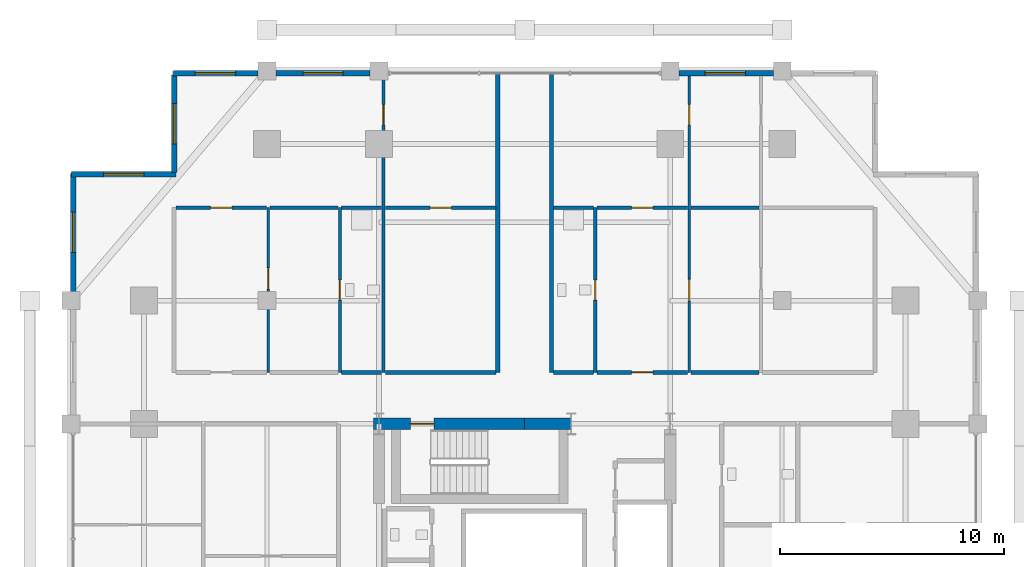
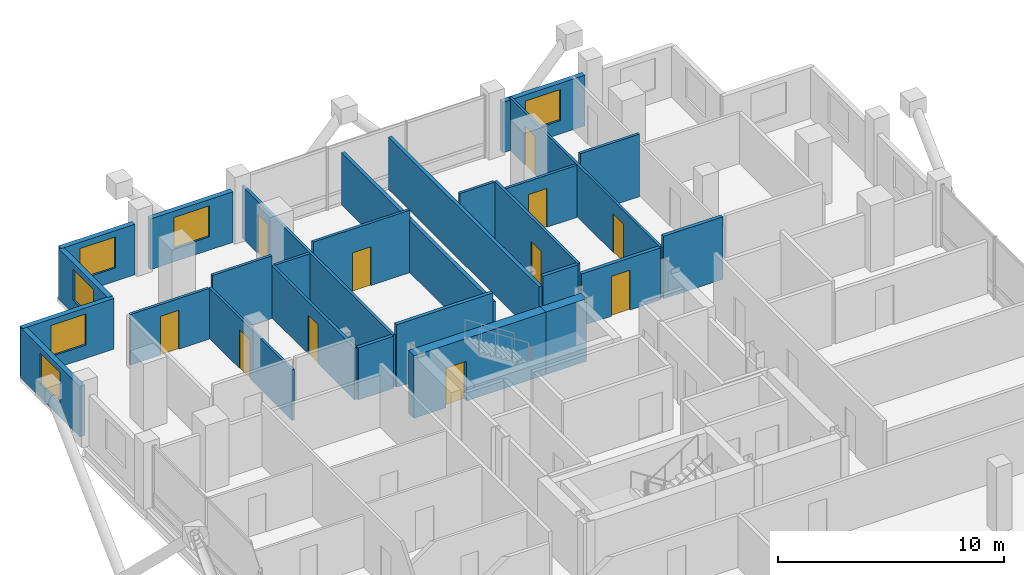
# One storey, part 19 of 22: 27 walls, 11 doors, 6 windows, 17 openings.
"""IFC4 building model written with IfcOpenShell, lengths in metres."""

from ifc_helpers import new_model, si_unit, direction, frame, frame_2d, origin, place, context, subcontext, project, spatial, rectangle, extrude, material, layer, layer_set, type_object, element, fill, save


model = new_model("IFC4")

# Units and contexts
model_context = context("Model", 3, precision=1e-05, world=origin(), true_north=direction((0.0, 1.0)))
body_context = subcontext(model_context, "Body", "Model", "MODEL_VIEW")
ifc_project = project(units=[si_unit("LENGTHUNIT", "METRE"), si_unit("AREAUNIT", "SQUARE_METRE"), si_unit("VOLUMEUNIT", "CUBIC_METRE"), si_unit("PLANEANGLEUNIT", "RADIAN"), si_unit("MASSUNIT", "GRAM", prefix="KILO")], contexts=[model_context])

# Site, building, storey
site_placement = place(None, origin())
site = spatial("IfcSite", under=ifc_project, at=site_placement, CompositionType="ELEMENT")
building_placement = place(site_placement, origin())
building = spatial("IfcBuilding", under=site, at=building_placement, Name="Barlavira Tower and Art Museum", CompositionType="ELEMENT")
storey_placement = place(building_placement, frame((0.0, 0.0, 129.60009765625)))
storey = spatial("IfcBuildingStorey", under=building, at=storey_placement, Name="L32", CompositionType="ELEMENT", Elevation=129.60009765625)

# Wall, opening, door
ifc_material_1 = material(Name="Gypsum acoustic stud partition", Category="gypsum")
ifc_layer_1 = layer(ifc_material_1, 0.1201171875, Name="Gypsum acoustic stud partition")
ifc_layer_set_1 = layer_set([ifc_layer_1], Name="Gypsum acoustic stud partition")
wall_type_1 = type_object("IfcWallType", Name="Apartment Internal Acoustic Partition 120", PredefinedType="PARTITIONING", material=ifc_layer_set_1)
wall_1_placement = place(storey_placement, frame((-11.449951171875, 9.800048828125, 0.0), z_axis=(0.0, 0.0, 1.0), x_axis=(0.0, 1.0, 0.0)))
wall_1 = element("IfcWall", 1, at=wall_1_placement, inside=storey, type_object=wall_type_1, Name="L32 Partition Wall 3", PredefinedType="PARTITIONING", context=body_context, shape_type="SweptSolid", body=[
    extrude(rectangle(XDim=7.349853515625, YDim=0.1201171875, at=frame_2d((3.6748046875, 0.0))), origin(), (0.0, 0.0, 1.0), 2.73583984375),
])
opening_1_placement = place(wall_1_placement, frame((3.71337890625, 0.0, 0.0)))
opening_1 = element("IfcOpeningElement", 2, at=opening_1_placement, cuts=wall_1, Name="Opening D-02", PredefinedType="OPENING", context=body_context, shape_type="SweptSolid", body=[
    extrude(rectangle(XDim=0.949951171875, YDim=2.10009765625, at=frame_2d((0.47509765625, 1.050048828125))), frame((0.0, 0.070068359375, 0.0), z_axis=(0.0, -1.0, 0.0), x_axis=(1.0, 0.0, 0.0)), (0.0, 0.0, 1.0), 0.14013671875),
])
ifc_material_2 = material(Name="Engineered coastal hardwood", Category="wood")
door_type_1 = type_object("IfcDoorType", Name="Living and Salon Glazed-Leaf Door 950x2100", OperationType="NOTDEFINED", PredefinedType="DOOR", material=ifc_material_2)
door_1_placement = place(opening_1_placement, origin())
door_1 = element("IfcDoor", 3, at=door_1_placement, inside=storey, type_object=door_type_1, Name="Apartment SKY-NW Kitchen Door", OperationType="SINGLE_SWING_LEFT", OverallHeight=2.10009765625, OverallWidth=0.949951171875, PredefinedType="DOOR", context=body_context, shape_type="SweptSolid", body=[
    extrude(rectangle(XDim=0.949951171875, YDim=2.10009765625, at=frame_2d((0.47509765625, 1.050048828125))), frame((0.0, 0.02490234375, 0.0), z_axis=(0.0, -1.0, 0.0), x_axis=(1.0, 0.0, 0.0)), (0.0, 0.0, 1.0), 0.050048828125),
])
fill(opening_1, door_1)

# Wall, openings, doors
wall_2_placement = place(storey_placement, frame((7.35009765625, 9.800048828125, 0.0), z_axis=(0.0, 0.0, 1.0), x_axis=(0.0, 1.0, 0.0)))
wall_2 = element("IfcWall", 4, at=wall_2_placement, inside=storey, type_object=wall_type_1, Name="L32 Partition Wall 14", PredefinedType="PARTITIONING", context=body_context, shape_type="SweptSolid", body=[
    extrude(rectangle(XDim=13.349853515625, YDim=0.1201171875, at=frame_2d((6.6748046875, 0.0))), origin(), (0.0, 0.0, 1.0), 2.81591796875),
])
opening_2_placement = place(wall_2_placement, frame((3.195068359375, 0.0, 0.0)))
opening_2 = element("IfcOpeningElement", 5, at=opening_2_placement, cuts=wall_2, Name="Opening D-02", PredefinedType="OPENING", context=body_context, shape_type="SweptSolid", body=[
    extrude(rectangle(XDim=0.949951171875, YDim=2.10009765625, at=frame_2d((0.47509765625, 1.050048828125))), frame((0.0, 0.070068359375, 0.0), z_axis=(0.0, -1.0, 0.0), x_axis=(1.0, 0.0, 0.0)), (0.0, 0.0, 1.0), 0.14013671875),
])
opening_3_placement = place(wall_2_placement, frame((11.051025390625, 0.0, 0.0)))
opening_3 = element("IfcOpeningElement", 6, at=opening_3_placement, cuts=wall_2, Name="Opening D-01", PredefinedType="OPENING", context=body_context, shape_type="SweptSolid", body=[
    extrude(rectangle(XDim=0.89990234375, YDim=2.10009765625, at=frame_2d((0.449951171875, 1.050048828125))), frame((0.0, 0.070068359375, 0.0), z_axis=(0.0, -1.0, 0.0), x_axis=(1.0, 0.0, 0.0)), (0.0, 0.0, 1.0), 0.14013671875),
])
door_type_2 = type_object("IfcDoorType", Name="Internal Bedroom Timber Flush Door 900x2100", OperationType="NOTDEFINED", PredefinedType="DOOR", material=ifc_material_2)
door_2_placement = place(opening_3_placement, origin())
door_2 = element("IfcDoor", 7, at=door_2_placement, inside=storey, type_object=door_type_2, Name="Apartment SKY-NE Bedroom 1 Door", OperationType="SINGLE_SWING_LEFT", OverallHeight=2.10009765625, OverallWidth=0.89990234375, PredefinedType="DOOR", context=body_context, shape_type="SweptSolid", body=[
    extrude(rectangle(XDim=0.89990234375, YDim=2.10009765625, at=frame_2d((0.449951171875, 1.050048828125))), frame((0.0, 0.02490234375, 0.0), z_axis=(0.0, -1.0, 0.0), x_axis=(1.0, 0.0, 0.0)), (0.0, 0.0, 1.0), 0.050048828125),
])
fill(opening_3, door_2)
door_3_placement = place(opening_2_placement, origin())
door_3 = element("IfcDoor", 8, at=door_3_placement, inside=storey, type_object=door_type_1, Name="Apartment SKY-NE Kitchen Door", OperationType="SINGLE_SWING_RIGHT", OverallHeight=2.10009765625, OverallWidth=0.949951171875, PredefinedType="DOOR", context=body_context, shape_type="SweptSolid", body=[
    extrude(rectangle(XDim=0.949951171875, YDim=2.10009765625, at=frame_2d((0.47509765625, 1.050048828125))), frame((0.0, 0.02490234375, 0.0), z_axis=(0.0, -1.0, 0.0), x_axis=(1.0, 0.0, 0.0)), (0.0, 0.0, 1.0), 0.050048828125),
])
fill(opening_2, door_3)

# Wall, opening, door
ifc_material_3 = material(Name="Concrete C60", Category="concrete")
ifc_layer_2 = layer(ifc_material_3, 0.5, Name="Concrete C60")
ifc_layer_set_2 = layer_set([ifc_layer_2], Name="Concrete C60")
wall_type_2 = type_object("IfcWallType", Name="Core Structural Shear Wall 500 Concrete C60", PredefinedType="SHEAR", material=ifc_layer_set_2)
wall_3_placement = place(storey_placement, frame((-6.75, 7.5, 0.0), z_axis=(0.0, 0.0, 1.0), x_axis=(1.0, 0.0, 0.0)))
wall_3 = element("IfcWall", 9, at=wall_3_placement, inside=storey, type_object=wall_type_2, Name="L32 Core Shear Wall CS-NW", PredefinedType="SHEAR", context=body_context, shape_type="SweptSolid", body=[
    extrude(rectangle(XDim=6.75, YDim=0.5, at=frame_2d((3.375, 0.0))), origin(), (0.0, 0.0, 1.0), 3.3798828125),
])
opening_4_placement = place(wall_3_placement, frame((1.64990234375, 0.0, 0.0)))
opening_4 = element("IfcOpeningElement", 10, at=opening_4_placement, cuts=wall_3, Name="Opening FD-90", PredefinedType="OPENING", context=body_context, shape_type="SweptSolid", body=[
    extrude(rectangle(XDim=1.050048828125, YDim=2.14990234375, at=frame_2d((0.52490234375, 1.074951171875))), frame((0.0, 0.260009765625, 0.0), z_axis=(0.0, -1.0, 0.0), x_axis=(1.0, 0.0, 0.0)), (0.0, 0.0, 1.0), 0.52001953125),
])
ifc_material_4 = material(Name="Brushed stainless steel", Category="steel")
door_type_3 = type_object("IfcDoorType", Name="Stair and Refuge Fire Door 1050x2150 FD90S", OperationType="NOTDEFINED", PredefinedType="DOOR", material=ifc_material_4)
door_4_placement = place(opening_4_placement, origin())
door_4 = element("IfcDoor", 11, at=door_4_placement, inside=storey, type_object=door_type_3, Name="L32 Stair ST-T2 Fire Door", OperationType="SINGLE_SWING_LEFT", OverallHeight=2.14990234375, OverallWidth=1.050048828125, PredefinedType="DOOR", context=body_context, shape_type="SweptSolid", body=[
    extrude(rectangle(XDim=1.050048828125, YDim=2.14990234375, at=frame_2d((0.52490234375, 1.074951171875))), frame((0.0, 0.02490234375, 0.0), z_axis=(0.0, -1.0, 0.0), x_axis=(1.0, 0.0, 0.0)), (0.0, 0.0, 1.0), 0.050048828125),
])
fill(opening_4, door_4)

# Walls
wall_4_placement = place(storey_placement, frame((0.0, 7.5, 0.0), z_axis=(0.0, 0.0, 1.0), x_axis=(1.0, 0.0, 0.0)))
element("IfcWall", 12, at=wall_4_placement, inside=storey, type_object=wall_type_2, Name="L32 Core Shear Wall CS-EN", PredefinedType="SHEAR", context=body_context, shape_type="SweptSolid", body=[
    extrude(rectangle(XDim=2.080078125, YDim=0.5, at=frame_2d((1.0400390625, 0.0))), origin(), (0.0, 0.0, 1.0), 3.3798828125),
])
ifc_layer_3 = layer(ifc_material_1, 0.179931640625, Name="Gypsum acoustic stud partition")
ifc_layer_set_3 = layer_set([ifc_layer_3], Name="Gypsum acoustic stud partition")
wall_type_3 = type_object("IfcWallType", Name="Inter-Tenancy Party Partition Wall 180", PredefinedType="PARTITIONING", material=ifc_layer_set_3)
for number, where, z_axis, x_axis, name in (
    (13, (-1.199951171875, 9.800048828125, 0.0), (0.0, 0.0, 1.0), (0.0, 1.0, 0.0), "L32 Partition Wall 9"),
    (14, (1.199951171875, 9.800048828125, 0.0), (0.0, 0.0, 1.0), (0.0, 1.0, 0.0), "L32 Partition Wall 11"),
):
    element("IfcWall", number, at=place(storey_placement, frame(where, z_axis=z_axis, x_axis=x_axis)), inside=storey, type_object=wall_type_3, Name=name, PredefinedType="PARTITIONING", context=body_context, shape_type="SweptSolid", body=[
        extrude(rectangle(XDim=13.349853515625, YDim=0.179931640625, at=frame_2d((6.6748046875, 0.0))), origin(), (0.0, 0.0, 1.0), 2.81591796875),
    ])
wall_5_placement = place(storey_placement, frame((-8.169921875, 9.800048828125, 0.0), z_axis=(0.0, 0.0, 1.0), x_axis=(1.0, 0.0, 0.0)))
element("IfcWall", 15, at=wall_5_placement, inside=storey, type_object=wall_type_3, Name="L32 Partition Wall 42", PredefinedType="PARTITIONING", context=body_context, shape_type="SweptSolid", body=[
    extrude(rectangle(XDim=1.7900390625, YDim=0.179931640625, at=frame_2d((0.89501953125, 0.0))), origin(), (0.0, 0.0, 1.0), 2.81591796875),
])
wall_6_placement = place(storey_placement, frame((-6.219970703125, 9.800048828125, 0.0), z_axis=(0.0, 0.0, 1.0), x_axis=(1.0, 0.0, 0.0)))
element("IfcWall", 16, at=wall_6_placement, inside=storey, type_object=wall_type_3, Name="L32 Partition Wall 43", PredefinedType="PARTITIONING", context=body_context, shape_type="SweptSolid", body=[
    extrude(rectangle(XDim=4.93994140625, YDim=0.179931640625, at=frame_2d((2.469970703125, 0.0))), origin(), (0.0, 0.0, 1.0), 3.3798828125),
])
wall_7_placement = place(storey_placement, frame((1.280029296875, 9.800048828125, 0.0), z_axis=(0.0, 0.0, 1.0), x_axis=(1.0, 0.0, 0.0)))
element("IfcWall", 17, at=wall_7_placement, inside=storey, type_object=wall_type_3, Name="L32 Partition Wall 44", PredefinedType="PARTITIONING", context=body_context, shape_type="SweptSolid", body=[
    extrude(rectangle(XDim=1.7900390625, YDim=0.179931640625, at=frame_2d((0.89501953125, 0.0))), origin(), (0.0, 0.0, 1.0), 3.3798828125),
])

# Wall, opening, door
wall_8_placement = place(storey_placement, frame((3.22998046875, 9.800048828125, 0.0), z_axis=(0.0, 0.0, 1.0), x_axis=(1.0, 0.0, 0.0)))
wall_8 = element("IfcWall", 18, at=wall_8_placement, inside=storey, type_object=wall_type_3, Name="L32 Partition Wall 45", PredefinedType="PARTITIONING", context=body_context, shape_type="SweptSolid", body=[
    extrude(rectangle(XDim=4.0400390625, YDim=0.179931640625, at=frame_2d((2.02001953125, 0.0))), origin(), (0.0, 0.0, 1.0), 2.81591796875),
])
opening_5_placement = place(wall_8_placement, frame((1.544921875, 0.0, 0.0)))
opening_5 = element("IfcOpeningElement", 19, at=opening_5_placement, cuts=wall_8, Name="Opening FD-60", PredefinedType="OPENING", context=body_context, shape_type="SweptSolid", body=[
    extrude(rectangle(XDim=0.949951171875, YDim=2.14990234375, at=frame_2d((0.47509765625, 1.074951171875))), frame((0.0, 0.10009765625, 0.0), z_axis=(0.0, -1.0, 0.0), x_axis=(1.0, 0.0, 0.0)), (0.0, 0.0, 1.0), 0.199951171875),
])
door_type_4 = type_object("IfcDoorType", Name="Apartment Entrance and Riser Fire Door 950x2150 FD60S", OperationType="NOTDEFINED", PredefinedType="DOOR", material=ifc_material_4)
door_5_placement = place(opening_5_placement, origin())
door_5 = element("IfcDoor", 20, at=door_5_placement, inside=storey, type_object=door_type_4, Name="Apartment Entrance Hall SKY-NE Door", OperationType="SINGLE_SWING_LEFT", OverallHeight=2.14990234375, OverallWidth=0.949951171875, PredefinedType="DOOR", context=body_context, shape_type="SweptSolid", body=[
    extrude(rectangle(XDim=0.949951171875, YDim=2.14990234375, at=frame_2d((0.47509765625, 1.074951171875))), frame((0.0, 0.02490234375, 0.0), z_axis=(0.0, -1.0, 0.0), x_axis=(1.0, 0.0, 0.0)), (0.0, 0.0, 1.0), 0.050048828125),
])
fill(opening_5, door_5)

# Wall
wall_9_placement = place(storey_placement, frame((7.429931640625, 9.800048828125, 0.0), z_axis=(0.0, 0.0, 1.0), x_axis=(1.0, 0.0, 0.0)))
element("IfcWall", 21, at=wall_9_placement, inside=storey, type_object=wall_type_3, Name="L32 Partition Wall 46", PredefinedType="PARTITIONING", context=body_context, shape_type="SweptSolid", body=[
    extrude(rectangle(XDim=3.0400390625, YDim=0.179931640625, at=frame_2d((1.52001953125, 0.0))), origin(), (0.0, 0.0, 1.0), 3.3798828125),
])

# Wall, opening, door
ifc_layer_4 = layer(ifc_material_1, 0.139892578125, Name="Gypsum acoustic stud partition")
ifc_layer_set_4 = layer_set([ifc_layer_4], Name="Gypsum acoustic stud partition")
wall_type_4 = type_object("IfcWallType", Name="Moisture-Resistant Bathroom Partition 140", PredefinedType="PARTITIONING", material=ifc_layer_set_4)
wall_10_placement = place(storey_placement, frame((-8.25, 9.800048828125, 0.0), z_axis=(0.0, 0.0, 1.0), x_axis=(0.0, 1.0, 0.0)))
wall_10 = element("IfcWall", 22, at=wall_10_placement, inside=storey, type_object=wall_type_4, Name="L32 Partition Wall 5", PredefinedType="PARTITIONING", context=body_context, shape_type="SweptSolid", body=[
    extrude(rectangle(XDim=7.349853515625, YDim=0.139892578125, at=frame_2d((3.6748046875, 0.0))), origin(), (0.0, 0.0, 1.0), 2.81591796875),
])
opening_6_placement = place(wall_10_placement, frame((3.219970703125, 0.0, 0.0)))
opening_6 = element("IfcOpeningElement", 23, at=opening_6_placement, cuts=wall_10, Name="Opening D-WC", PredefinedType="OPENING", context=body_context, shape_type="SweptSolid", body=[
    extrude(rectangle(XDim=0.89990234375, YDim=2.10009765625, at=frame_2d((0.449951171875, 1.050048828125))), frame((0.0, 0.080078125, 0.0), z_axis=(0.0, -1.0, 0.0), x_axis=(1.0, 0.0, 0.0)), (0.0, 0.0, 1.0), 0.159912109375),
])
door_type_5 = type_object("IfcDoorType", Name="Accessible Bathroom Flush Door 900x2100", OperationType="NOTDEFINED", PredefinedType="DOOR", material=ifc_material_2)
door_6_placement = place(opening_6_placement, origin())
door_6 = element("IfcDoor", 24, at=door_6_placement, inside=storey, type_object=door_type_5, Name="Apartment SKY-NW Hall Bathroom Door", OperationType="SINGLE_SWING_RIGHT", OverallHeight=2.10009765625, OverallWidth=0.89990234375, PredefinedType="DOOR", context=body_context, shape_type="SweptSolid", body=[
    extrude(rectangle(XDim=0.89990234375, YDim=2.10009765625, at=frame_2d((0.449951171875, 1.050048828125))), frame((0.0, 0.02490234375, 0.0), z_axis=(0.0, -1.0, 0.0), x_axis=(1.0, 0.0, 0.0)), (0.0, 0.0, 1.0), 0.050048828125),
])
fill(opening_6, door_6)

wall_11_placement = place(storey_placement, frame((-6.300048828125, 9.800048828125, 0.0), z_axis=(0.0, 0.0, 1.0), x_axis=(0.0, 1.0, 0.0)))
wall_11 = element("IfcWall", 25, at=wall_11_placement, inside=storey, type_object=wall_type_4, Name="L32 Partition Wall 6", PredefinedType="PARTITIONING", context=body_context, shape_type="SweptSolid", body=[
    extrude(rectangle(XDim=13.349853515625, YDim=0.139892578125, at=frame_2d((6.6748046875, 0.0))), origin(), (0.0, 0.0, 1.0), 2.81591796875),
])
opening_7_placement = place(wall_11_placement, frame((11.051025390625, 0.0, 0.0)))
opening_7 = element("IfcOpeningElement", 26, at=opening_7_placement, cuts=wall_11, Name="Opening D-01", PredefinedType="OPENING", context=body_context, shape_type="SweptSolid", body=[
    extrude(rectangle(XDim=0.89990234375, YDim=2.10009765625, at=frame_2d((0.449951171875, 1.050048828125))), frame((0.0, 0.080078125, 0.0), z_axis=(0.0, -1.0, 0.0), x_axis=(1.0, 0.0, 0.0)), (0.0, 0.0, 1.0), 0.159912109375),
])
door_7_placement = place(opening_7_placement, origin())
door_7 = element("IfcDoor", 27, at=door_7_placement, inside=storey, type_object=door_type_2, Name="Apartment SKY-NW Bedroom 1 Door", OperationType="SINGLE_SWING_LEFT", OverallHeight=2.10009765625, OverallWidth=0.89990234375, PredefinedType="DOOR", context=body_context, shape_type="SweptSolid", body=[
    extrude(rectangle(XDim=0.89990234375, YDim=2.10009765625, at=frame_2d((0.449951171875, 1.050048828125))), frame((0.0, 0.02490234375, 0.0), z_axis=(0.0, -1.0, 0.0), x_axis=(1.0, 0.0, 0.0)), (0.0, 0.0, 1.0), 0.050048828125),
])
fill(opening_7, door_7)

wall_12_placement = place(storey_placement, frame((3.14990234375, 9.800048828125, 0.0), z_axis=(0.0, 0.0, 1.0), x_axis=(0.0, 1.0, 0.0)))
wall_12 = element("IfcWall", 28, at=wall_12_placement, inside=storey, type_object=wall_type_4, Name="L32 Partition Wall 12", PredefinedType="PARTITIONING", context=body_context, shape_type="SweptSolid", body=[
    extrude(rectangle(XDim=7.349853515625, YDim=0.139892578125, at=frame_2d((3.6748046875, 0.0))), origin(), (0.0, 0.0, 1.0), 3.3798828125),
])
opening_8_placement = place(wall_12_placement, frame((3.219970703125, 0.0, 0.0)))
opening_8 = element("IfcOpeningElement", 29, at=opening_8_placement, cuts=wall_12, Name="Opening D-WC", PredefinedType="OPENING", context=body_context, shape_type="SweptSolid", body=[
    extrude(rectangle(XDim=0.89990234375, YDim=2.10009765625, at=frame_2d((0.449951171875, 1.050048828125))), frame((0.0, 0.080078125, 0.0), z_axis=(0.0, -1.0, 0.0), x_axis=(1.0, 0.0, 0.0)), (0.0, 0.0, 1.0), 0.159912109375),
])
door_8_placement = place(opening_8_placement, origin())
door_8 = element("IfcDoor", 30, at=door_8_placement, inside=storey, type_object=door_type_5, Name="Apartment SKY-NE Hall Bathroom Door", OperationType="SINGLE_SWING_RIGHT", OverallHeight=2.10009765625, OverallWidth=0.89990234375, PredefinedType="DOOR", context=body_context, shape_type="SweptSolid", body=[
    extrude(rectangle(XDim=0.89990234375, YDim=2.10009765625, at=frame_2d((0.449951171875, 1.050048828125))), frame((0.0, 0.02490234375, 0.0), z_axis=(0.0, -1.0, 0.0), x_axis=(1.0, 0.0, 0.0)), (0.0, 0.0, 1.0), 0.050048828125),
])
fill(opening_8, door_8)

wall_13_placement = place(storey_placement, frame((-15.570068359375, 17.14990234375, 0.0), z_axis=(0.0, 0.0, 1.0), x_axis=(1.0, 0.0, 0.0)))
wall_13 = element("IfcWall", 31, at=wall_13_placement, inside=storey, type_object=wall_type_4, Name="L32 Partition Wall 48", PredefinedType="PARTITIONING", context=body_context, shape_type="SweptSolid", body=[
    extrude(rectangle(XDim=4.0400390625, YDim=0.139892578125, at=frame_2d((2.02001953125, 0.0))), origin(), (0.0, 0.0, 1.0), 2.73583984375),
])
opening_9_placement = place(wall_13_placement, frame((1.544921875, 0.0, 0.0)))
opening_9 = element("IfcOpeningElement", 32, at=opening_9_placement, cuts=wall_13, Name="Opening D-02", PredefinedType="OPENING", context=body_context, shape_type="SweptSolid", body=[
    extrude(rectangle(XDim=0.949951171875, YDim=2.10009765625, at=frame_2d((0.47509765625, 1.050048828125))), frame((0.0, 0.080078125, 0.0), z_axis=(0.0, -1.0, 0.0), x_axis=(1.0, 0.0, 0.0)), (0.0, 0.0, 1.0), 0.159912109375),
])
door_9_placement = place(opening_9_placement, origin())
door_9 = element("IfcDoor", 33, at=door_9_placement, inside=storey, type_object=door_type_1, Name="Apartment SKY-NW Living Lounge Door", OperationType="SINGLE_SWING_RIGHT", OverallHeight=2.10009765625, OverallWidth=0.949951171875, PredefinedType="DOOR", context=body_context, shape_type="SweptSolid", body=[
    extrude(rectangle(XDim=0.949951171875, YDim=2.10009765625, at=frame_2d((0.47509765625, 1.050048828125))), frame((0.0, 0.02490234375, 0.0), z_axis=(0.0, -1.0, 0.0), x_axis=(1.0, 0.0, 0.0)), (0.0, 0.0, 1.0), 0.050048828125),
])
fill(opening_9, door_9)

# Walls
wall_14_placement = place(storey_placement, frame((-11.3701171875, 17.14990234375, 0.0), z_axis=(0.0, 0.0, 1.0), x_axis=(1.0, 0.0, 0.0)))
element("IfcWall", 34, at=wall_14_placement, inside=storey, type_object=wall_type_4, Name="L32 Partition Wall 49", PredefinedType="PARTITIONING", context=body_context, shape_type="SweptSolid", body=[
    extrude(rectangle(XDim=3.0400390625, YDim=0.139892578125, at=frame_2d((1.52001953125, 0.0))), origin(), (0.0, 0.0, 1.0), 3.3798828125),
])
wall_15_placement = place(storey_placement, frame((-8.169921875, 17.14990234375, 0.0), z_axis=(0.0, 0.0, 1.0), x_axis=(1.0, 0.0, 0.0)))
element("IfcWall", 35, at=wall_15_placement, inside=storey, type_object=wall_type_4, Name="L32 Partition Wall 50", PredefinedType="PARTITIONING", context=body_context, shape_type="SweptSolid", body=[
    extrude(rectangle(XDim=1.7900390625, YDim=0.139892578125, at=frame_2d((0.89501953125, 0.0))), origin(), (0.0, 0.0, 1.0), 2.81591796875),
])

# Wall, opening, door
wall_16_placement = place(storey_placement, frame((-6.219970703125, 17.14990234375, 0.0), z_axis=(0.0, 0.0, 1.0), x_axis=(1.0, 0.0, 0.0)))
wall_16 = element("IfcWall", 36, at=wall_16_placement, inside=storey, type_object=wall_type_4, Name="L32 Partition Wall 51", PredefinedType="PARTITIONING", context=body_context, shape_type="SweptSolid", body=[
    extrude(rectangle(XDim=4.93994140625, YDim=0.139892578125, at=frame_2d((2.469970703125, 0.0))), origin(), (0.0, 0.0, 1.0), 3.3798828125),
])
opening_10_placement = place(wall_16_placement, frame((1.9951171875, 0.0, 0.0)))
opening_10 = element("IfcOpeningElement", 37, at=opening_10_placement, cuts=wall_16, Name="Opening D-02", PredefinedType="OPENING", context=body_context, shape_type="SweptSolid", body=[
    extrude(rectangle(XDim=0.949951171875, YDim=2.10009765625, at=frame_2d((0.47509765625, 1.050048828125))), frame((0.0, 0.080078125, 0.0), z_axis=(0.0, -1.0, 0.0), x_axis=(1.0, 0.0, 0.0)), (0.0, 0.0, 1.0), 0.159912109375),
])
door_10_placement = place(opening_10_placement, origin())
door_10 = element("IfcDoor", 38, at=door_10_placement, inside=storey, type_object=door_type_1, Name="Apartment SKY-NW Dining Salon Door", OperationType="SINGLE_SWING_LEFT", OverallHeight=2.10009765625, OverallWidth=0.949951171875, PredefinedType="DOOR", context=body_context, shape_type="SweptSolid", body=[
    extrude(rectangle(XDim=0.949951171875, YDim=2.10009765625, at=frame_2d((0.47509765625, 1.050048828125))), frame((0.0, 0.02490234375, 0.0), z_axis=(0.0, -1.0, 0.0), x_axis=(1.0, 0.0, 0.0)), (0.0, 0.0, 1.0), 0.050048828125),
])
fill(opening_10, door_10)

# Wall
wall_17_placement = place(storey_placement, frame((1.280029296875, 17.14990234375, 0.0), z_axis=(0.0, 0.0, 1.0), x_axis=(1.0, 0.0, 0.0)))
element("IfcWall", 39, at=wall_17_placement, inside=storey, type_object=wall_type_4, Name="L32 Partition Wall 52", PredefinedType="PARTITIONING", context=body_context, shape_type="SweptSolid", body=[
    extrude(rectangle(XDim=1.7900390625, YDim=0.139892578125, at=frame_2d((0.89501953125, 0.0))), origin(), (0.0, 0.0, 1.0), 3.3798828125),
])

# Wall, opening, door
wall_18_placement = place(storey_placement, frame((3.22998046875, 17.14990234375, 0.0), z_axis=(0.0, 0.0, 1.0), x_axis=(1.0, 0.0, 0.0)))
wall_18 = element("IfcWall", 40, at=wall_18_placement, inside=storey, type_object=wall_type_4, Name="L32 Partition Wall 53", PredefinedType="PARTITIONING", context=body_context, shape_type="SweptSolid", body=[
    extrude(rectangle(XDim=4.0400390625, YDim=0.139892578125, at=frame_2d((2.02001953125, 0.0))), origin(), (0.0, 0.0, 1.0), 2.81591796875),
])
opening_11_placement = place(wall_18_placement, frame((1.544921875, 0.0, 0.0)))
opening_11 = element("IfcOpeningElement", 41, at=opening_11_placement, cuts=wall_18, Name="Opening D-02", PredefinedType="OPENING", context=body_context, shape_type="SweptSolid", body=[
    extrude(rectangle(XDim=0.949951171875, YDim=2.10009765625, at=frame_2d((0.47509765625, 1.050048828125))), frame((0.0, 0.080078125, 0.0), z_axis=(0.0, -1.0, 0.0), x_axis=(1.0, 0.0, 0.0)), (0.0, 0.0, 1.0), 0.159912109375),
])
door_11_placement = place(opening_11_placement, origin())
door_11 = element("IfcDoor", 42, at=door_11_placement, inside=storey, type_object=door_type_1, Name="Apartment SKY-NE Living Lounge Door", OperationType="SINGLE_SWING_RIGHT", OverallHeight=2.10009765625, OverallWidth=0.949951171875, PredefinedType="DOOR", context=body_context, shape_type="SweptSolid", body=[
    extrude(rectangle(XDim=0.949951171875, YDim=2.10009765625, at=frame_2d((0.47509765625, 1.050048828125))), frame((0.0, 0.02490234375, 0.0), z_axis=(0.0, -1.0, 0.0), x_axis=(1.0, 0.0, 0.0)), (0.0, 0.0, 1.0), 0.050048828125),
])
fill(opening_11, door_11)

# Wall
wall_19_placement = place(storey_placement, frame((7.429931640625, 17.14990234375, 0.0), z_axis=(0.0, 0.0, 1.0), x_axis=(1.0, 0.0, 0.0)))
element("IfcWall", 43, at=wall_19_placement, inside=storey, type_object=wall_type_4, Name="L32 Partition Wall 54", PredefinedType="PARTITIONING", context=body_context, shape_type="SweptSolid", body=[
    extrude(rectangle(XDim=3.0400390625, YDim=0.139892578125, at=frame_2d((1.52001953125, 0.0))), origin(), (0.0, 0.0, 1.0), 3.3798828125),
])

# Wall, opening, window
ifc_material_5 = material(Name="Precast concrete C40", Category="concrete")
ifc_layer_5 = layer(ifc_material_5, 0.25, Name="Precast concrete C40")
ifc_layer_set_5 = layer_set([ifc_layer_5], Name="Precast concrete C40")
wall_type_5 = type_object("IfcWallType", Name="Notched Corner Spandrel Wall 250 Precast Concrete C40", PredefinedType="SOLIDWALL", material=ifc_layer_set_5)
wall_20_placement = place(storey_placement, frame((11.10498046875, 23.14990234375, 0.0), z_axis=(0.0, 0.0, 1.0), x_axis=(-1.0, 0.0, 0.0)))
wall_20 = element("IfcWall", 44, at=wall_20_placement, inside=storey, type_object=wall_type_5, Name="L32 Coastal Facade Pier Wall CW2-L32-N-2", PredefinedType="SOLIDWALL", context=body_context, shape_type="SweptSolid", body=[
    extrude(rectangle(XDim=4.2099609375, YDim=0.25, at=frame_2d((2.10498046875, 0.0))), origin(), (0.0, 0.0, 1.0), 2.73583984375),
])
opening_12_placement = place(wall_20_placement, frame((1.2548828125, 0.0, 0.719970703125)))
opening_12 = element("IfcOpeningElement", 45, at=opening_12_placement, cuts=wall_20, Name="Opening WN-01", PredefinedType="OPENING", context=body_context, shape_type="SweptSolid", body=[
    extrude(rectangle(XDim=1.800048828125, YDim=1.679931640625, at=frame_2d((0.89990234375, 0.83984375))), frame((0.0, 0.135009765625, 0.0), z_axis=(0.0, -1.0, 0.0), x_axis=(1.0, 0.0, 0.0)), (0.0, 0.0, 1.0), 0.27001953125),
])
ifc_material_6 = material(Name="Low-iron coastal laminated glass", Category="glass")
window_type = type_object("IfcWindowType", Name="Recessed Notch Corner Punch Window 1800x1680", PartitioningType="SINGLE_PANEL", PredefinedType="WINDOW", material=ifc_material_6)
window_1_placement = place(opening_12_placement, origin())
window_1 = element("IfcWindow", 46, at=window_1_placement, inside=storey, type_object=window_type, Name="L32 Punched Facade Window EWP-CW2-L32-N-2-1", OverallHeight=1.679931640625, OverallWidth=1.800048828125, PartitioningType="SINGLE_PANEL", PredefinedType="WINDOW", context=body_context, shape_type="SweptSolid", body=[
    extrude(rectangle(XDim=1.800048828125, YDim=1.679931640625, at=frame_2d((0.89990234375, 0.83984375))), frame((0.0, 0.030029296875, 0.0), z_axis=(0.0, -1.0, 0.0), x_axis=(1.0, 0.0, 0.0)), (0.0, 0.0, 1.0), 0.06005859375),
])
fill(opening_12, window_1)

wall_21_placement = place(storey_placement, frame((-6.89501953125, 23.14990234375, 0.0), z_axis=(0.0, 0.0, 1.0), x_axis=(-1.0, 0.0, 0.0)))
wall_21 = element("IfcWall", 47, at=wall_21_placement, inside=storey, type_object=wall_type_5, Name="L32 Coastal Facade Pier Wall CW2-L32-N-4", PredefinedType="SOLIDWALL", context=body_context, shape_type="SweptSolid", body=[
    extrude(rectangle(XDim=4.2099609375, YDim=0.25, at=frame_2d((2.10498046875, 0.0))), origin(), (0.0, 0.0, 1.0), 2.73583984375),
])
opening_13_placement = place(wall_21_placement, frame((1.205078125, 0.0, 0.719970703125)))
opening_13 = element("IfcOpeningElement", 48, at=opening_13_placement, cuts=wall_21, Name="Opening WN-01", PredefinedType="OPENING", context=body_context, shape_type="SweptSolid", body=[
    extrude(rectangle(XDim=1.800048828125, YDim=1.679931640625, at=frame_2d((0.89990234375, 0.83984375))), frame((0.0, 0.135009765625, 0.0), z_axis=(0.0, -1.0, 0.0), x_axis=(1.0, 0.0, 0.0)), (0.0, 0.0, 1.0), 0.27001953125),
])
window_2_placement = place(opening_13_placement, origin())
window_2 = element("IfcWindow", 49, at=window_2_placement, inside=storey, type_object=window_type, Name="L32 Punched Facade Window EWP-CW2-L32-N-4-1", OverallHeight=1.679931640625, OverallWidth=1.800048828125, PartitioningType="SINGLE_PANEL", PredefinedType="WINDOW", context=body_context, shape_type="SweptSolid", body=[
    extrude(rectangle(XDim=1.800048828125, YDim=1.679931640625, at=frame_2d((0.89990234375, 0.83984375))), frame((0.0, 0.030029296875, 0.0), z_axis=(0.0, -1.0, 0.0), x_axis=(1.0, 0.0, 0.0)), (0.0, 0.0, 1.0), 0.06005859375),
])
fill(opening_13, window_2)

wall_22_placement = place(storey_placement, frame((-11.89501953125, 23.14990234375, 0.0), z_axis=(0.0, 0.0, 1.0), x_axis=(-1.0, 0.0, 0.0)))
wall_22 = element("IfcWall", 50, at=wall_22_placement, inside=storey, type_object=wall_type_5, Name="L32 Coastal Facade Pier Wall CW2-L32-N-5", PredefinedType="SOLIDWALL", context=body_context, shape_type="SweptSolid", body=[
    extrude(rectangle(XDim=3.780029296875, YDim=0.25, at=frame_2d((1.89013671875, 0.0))), origin(), (0.0, 0.0, 1.0), 2.73583984375),
])
opening_14_placement = place(wall_22_placement, frame((1.012939453125, 0.0, 0.719970703125)))
opening_14 = element("IfcOpeningElement", 51, at=opening_14_placement, cuts=wall_22, Name="Opening WN-01", PredefinedType="OPENING", context=body_context, shape_type="SweptSolid", body=[
    extrude(rectangle(XDim=1.800048828125, YDim=1.679931640625, at=frame_2d((0.89990234375, 0.83984375))), frame((0.0, 0.135009765625, 0.0), z_axis=(0.0, -1.0, 0.0), x_axis=(1.0, 0.0, 0.0)), (0.0, 0.0, 1.0), 0.27001953125),
])
window_3_placement = place(opening_14_placement, origin())
window_3 = element("IfcWindow", 52, at=window_3_placement, inside=storey, type_object=window_type, Name="L32 Punched Facade Window EWP-CW2-L32-N-5-1", OverallHeight=1.679931640625, OverallWidth=1.800048828125, PartitioningType="SINGLE_PANEL", PredefinedType="WINDOW", context=body_context, shape_type="SweptSolid", body=[
    extrude(rectangle(XDim=1.800048828125, YDim=1.679931640625, at=frame_2d((0.89990234375, 0.83984375))), frame((0.0, 0.030029296875, 0.0), z_axis=(0.0, -1.0, 0.0), x_axis=(1.0, 0.0, 0.0)), (0.0, 0.0, 1.0), 0.06005859375),
])
fill(opening_14, window_3)

wall_23_placement = place(storey_placement, frame((-20.14990234375, 18.675048828125, 0.0), z_axis=(0.0, 0.0, 1.0), x_axis=(0.0, -1.0, 0.0)))
wall_23 = element("IfcWall", 53, at=wall_23_placement, inside=storey, type_object=wall_type_5, Name="L32 Coastal Facade Pier Wall CW2-L32-W-1", PredefinedType="SOLIDWALL", context=body_context, shape_type="SweptSolid", body=[
    extrude(rectangle(XDim=5.280029296875, YDim=0.25, at=frame_2d((2.64013671875, 0.0))), origin(), (0.0, 0.0, 1.0), 2.73583984375),
])
opening_15_placement = place(wall_23_placement, frame((1.718017578125, 0.0, 0.719970703125)))
opening_15 = element("IfcOpeningElement", 54, at=opening_15_placement, cuts=wall_23, Name="Opening WN-01", PredefinedType="OPENING", context=body_context, shape_type="SweptSolid", body=[
    extrude(rectangle(XDim=1.800048828125, YDim=1.679931640625, at=frame_2d((0.89990234375, 0.83984375))), frame((0.0, 0.135009765625, 0.0), z_axis=(0.0, -1.0, 0.0), x_axis=(1.0, 0.0, 0.0)), (0.0, 0.0, 1.0), 0.27001953125),
])
window_4_placement = place(opening_15_placement, origin())
window_4 = element("IfcWindow", 55, at=window_4_placement, inside=storey, type_object=window_type, Name="L32 Punched Facade Window EWP-CW2-L32-W-1-1", OverallHeight=1.679931640625, OverallWidth=1.800048828125, PartitioningType="SINGLE_PANEL", PredefinedType="WINDOW", context=body_context, shape_type="SweptSolid", body=[
    extrude(rectangle(XDim=1.800048828125, YDim=1.679931640625, at=frame_2d((0.89990234375, 0.83984375))), frame((0.0, 0.030029296875, 0.0), z_axis=(0.0, -1.0, 0.0), x_axis=(1.0, 0.0, 0.0)), (0.0, 0.0, 1.0), 0.06005859375),
])
fill(opening_15, window_4)

wall_24_placement = place(storey_placement, frame((-15.64990234375, 23.070068359375, 0.0), z_axis=(0.0, 0.0, 1.0), x_axis=(0.0, -1.0, 0.0)))
wall_24 = element("IfcWall", 56, at=wall_24_placement, inside=storey, type_object=wall_type_5, Name="L32 Notch Corner Wall NW1", PredefinedType="SOLIDWALL", context=body_context, shape_type="SweptSolid", body=[
    extrude(rectangle(XDim=4.340087890625, YDim=0.25, at=frame_2d((2.169921875, 0.0))), origin(), (0.0, 0.0, 1.0), 2.73583984375),
])
opening_16_placement = place(wall_24_placement, frame((1.27001953125, 0.0, 0.719970703125)))
opening_16 = element("IfcOpeningElement", 57, at=opening_16_placement, cuts=wall_24, Name="Opening WN-01", PredefinedType="OPENING", context=body_context, shape_type="SweptSolid", body=[
    extrude(rectangle(XDim=1.800048828125, YDim=1.679931640625, at=frame_2d((0.89990234375, 0.83984375))), frame((0.0, 0.135009765625, 0.0), z_axis=(0.0, -1.0, 0.0), x_axis=(1.0, 0.0, 0.0)), (0.0, 0.0, 1.0), 0.27001953125),
])
window_5_placement = place(opening_16_placement, origin())
window_5 = element("IfcWindow", 58, at=window_5_placement, inside=storey, type_object=window_type, Name="L32 Punched Facade Window EW-NTC-L32-NW1-1", OverallHeight=1.679931640625, OverallWidth=1.800048828125, PartitioningType="SINGLE_PANEL", PredefinedType="WINDOW", context=body_context, shape_type="SweptSolid", body=[
    extrude(rectangle(XDim=1.800048828125, YDim=1.679931640625, at=frame_2d((0.89990234375, 0.83984375))), frame((0.0, 0.030029296875, 0.0), z_axis=(0.0, -1.0, 0.0), x_axis=(1.0, 0.0, 0.0)), (0.0, 0.0, 1.0), 0.06005859375),
])
fill(opening_16, window_5)

wall_25_placement = place(storey_placement, frame((-15.570068359375, 18.64990234375, 0.0), z_axis=(0.0, 0.0, 1.0), x_axis=(-1.0, 0.0, 0.0)))
wall_25 = element("IfcWall", 59, at=wall_25_placement, inside=storey, type_object=wall_type_5, Name="L32 Notch Corner Wall NW2", PredefinedType="SOLIDWALL", context=body_context, shape_type="SweptSolid", body=[
    extrude(rectangle(XDim=4.659912109375, YDim=0.25, at=frame_2d((2.330078125, 0.0))), origin(), (0.0, 0.0, 1.0), 2.73583984375),
])
opening_17_placement = place(wall_25_placement, frame((1.429931640625, 0.0, 0.719970703125)))
opening_17 = element("IfcOpeningElement", 60, at=opening_17_placement, cuts=wall_25, Name="Opening WN-01", PredefinedType="OPENING", context=body_context, shape_type="SweptSolid", body=[
    extrude(rectangle(XDim=1.800048828125, YDim=1.679931640625, at=frame_2d((0.89990234375, 0.83984375))), frame((0.0, 0.135009765625, 0.0), z_axis=(0.0, -1.0, 0.0), x_axis=(1.0, 0.0, 0.0)), (0.0, 0.0, 1.0), 0.27001953125),
])
window_6_placement = place(opening_17_placement, origin())
window_6 = element("IfcWindow", 61, at=window_6_placement, inside=storey, type_object=window_type, Name="L32 Punched Facade Window EW-NTC-L32-NW2-1", OverallHeight=1.679931640625, OverallWidth=1.800048828125, PartitioningType="SINGLE_PANEL", PredefinedType="WINDOW", context=body_context, shape_type="SweptSolid", body=[
    extrude(rectangle(XDim=1.800048828125, YDim=1.679931640625, at=frame_2d((0.89990234375, 0.83984375))), frame((0.0, 0.030029296875, 0.0), z_axis=(0.0, -1.0, 0.0), x_axis=(1.0, 0.0, 0.0)), (0.0, 0.0, 1.0), 0.06005859375),
])
fill(opening_17, window_6)

save(model, "model.ifc")
